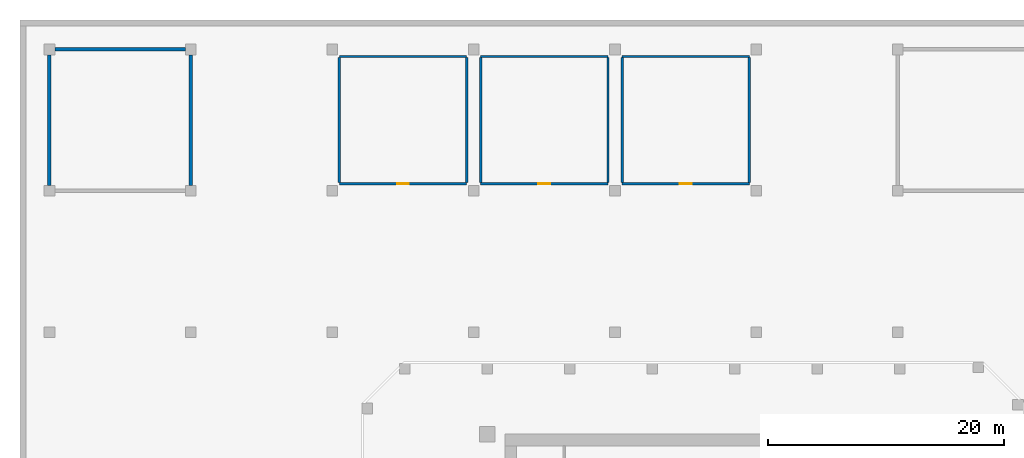
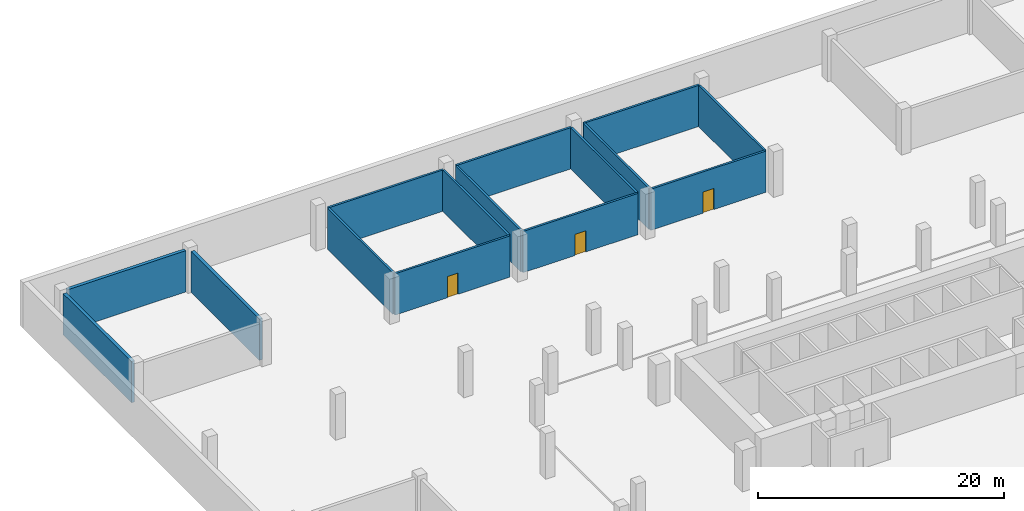
# One storey, part 8 of 11: 15 walls, 3 doors, 3 openings.
"""IFC4 building model written with IfcOpenShell, lengths in metres."""

from ifc_helpers import new_model, si_unit, direction, frame, frame_2d, origin, place, context, subcontext, project, spatial, rectangle, extrude, source, transform, mapped, material, layer, layer_set, type_object, element, fill, save


model = new_model("IFC4")

# Units and contexts
model_context = context("Model", 3, precision=1e-05, world=origin(), true_north=direction((0.0, 1.0)))
body_context = subcontext(model_context, "Body", "Model", "MODEL_VIEW")
ifc_project = project(units=[si_unit("LENGTHUNIT", "METRE"), si_unit("AREAUNIT", "SQUARE_METRE"), si_unit("VOLUMEUNIT", "CUBIC_METRE"), si_unit("PLANEANGLEUNIT", "RADIAN"), si_unit("MASSUNIT", "GRAM", prefix="KILO")], contexts=[model_context])

# Site, building, storey
site_placement = place(None, origin())
site = spatial("IfcSite", under=ifc_project, at=site_placement, CompositionType="ELEMENT")
building_placement = place(site_placement, origin())
building = spatial("IfcBuilding", under=site, at=building_placement, Name="Kilnfold Tower and Market Hall", CompositionType="ELEMENT")
storey_placement = place(building_placement, frame((0.0, 0.0, -4.5)))
storey = spatial("IfcBuildingStorey", under=building, at=storey_placement, Name="B1", CompositionType="ELEMENT", Elevation=-4.5)

# Walls
ifc_material_1 = material(Name="Concrete C50/60", Category="concrete")
ifc_layer_1 = layer(ifc_material_1, 0.300048828125)
ifc_layer_set_1 = layer_set([ifc_layer_1], Name="Concrete C50/60")
wall_type_1 = type_object("IfcWallType", Name="HALL CORE WALL 300", PredefinedType="SHEAR", material=ifc_layer_set_1)
shared_shape_1 = source(origin(), body_context, "Body", "SweptSolid", [
    extrude(rectangle(XDim=11.099853515625, YDim=0.300048828125, at=frame_2d((5.5498046875, 0.0))), origin(), (0.0, 0.0, 1.0), 4.090087890625),
])
for number, where, z_axis, x_axis, name in (
    (1, (-43.10009765625, 54.64990234375, 0.0), (0.0, 0.0, 1.0), (-1.0, 0.0, 0.0), "Core wall MH2"),
    (2, (-42.64990234375, 54.199951171875, 0.0), (0.0, 0.0, 1.0), (0.0, -1.0, 0.0), "Core wall MH2"),
    (3, (-54.64990234375, 54.199951171875, 0.0), (0.0, 0.0, 1.0), (0.0, -1.0, 0.0), "Core wall MH2"),
):
    element("IfcWall", number, at=place(storey_placement, frame(where, z_axis=z_axis, x_axis=x_axis)), inside=storey, type_object=wall_type_1, Name=name, PredefinedType="SHEAR", context=body_context, shape_type="MappedRepresentation", body=[
        mapped(shared_shape_1, transform((0.0, 0.0, 0.0))),
    ])

# Wall, opening, door
ifc_material_2 = material(Name="Concrete block C20", Category="concrete")
ifc_layer_2 = layer(ifc_material_2, 0.199951171875)
ifc_layer_set_2 = layer_set([ifc_layer_2], Name="Concrete block C20")
wall_type_2 = type_object("IfcWallType", Name="CAR PARK ROOM WALL 200", PredefinedType="PARTITIONING", material=ifc_layer_set_2)
shared_shape_2 = source(origin(), body_context, "Body", "SweptSolid", [
    extrude(rectangle(XDim=10.800048828125, YDim=0.199951171875, at=frame_2d((5.39990234375, 0.0))), origin(), (0.0, 0.0, 1.0), 4.090087890625),
])
wall_1_placement = place(storey_placement, frame((-30.050048828125, 43.25, 0.0), z_axis=(0.0, 0.0, 1.0), x_axis=(1.0, 0.0, 0.0)))
wall_1 = element("IfcWall", 4, at=wall_1_placement, inside=storey, type_object=wall_type_2, Name="Plant room wall south", PredefinedType="PARTITIONING", context=body_context, shape_type="MappedRepresentation", body=[
    mapped(shared_shape_2, transform((0.0, 0.0, 0.0))),
])
opening_1_placement = place(wall_1_placement, frame((4.89990234375, 0.0, 0.0)))
opening_1 = element("IfcOpeningElement", 5, at=opening_1_placement, cuts=wall_1, Name="Opening FD1", PredefinedType="OPENING", context=body_context, shape_type="SweptSolid", body=[
    extrude(rectangle(XDim=1.0, YDim=2.10009765625, at=frame_2d((0.5, 1.050048828125))), frame((0.0, 0.10986328125, 0.0), z_axis=(0.0, -1.0, 0.0), x_axis=(1.0, 0.0, 0.0)), (0.0, 0.0, 1.0), 0.219970703125),
])
ifc_material_3 = material(Name="Steel S355", Category="steel")
door_type = type_object("IfcDoorType", Name="CAR PARK FIRE DOOR 1000X2100", OperationType="NOTDEFINED", PredefinedType="DOOR", material=ifc_material_3)
door_1_placement = place(opening_1_placement, origin())
door_1 = element("IfcDoor", 6, at=door_1_placement, inside=storey, type_object=door_type, Name="Plant room door", OperationType="SINGLE_SWING_LEFT", OverallHeight=2.10009765625, OverallWidth=1.0, PredefinedType="DOOR", context=body_context, shape_type="SweptSolid", body=[
    extrude(rectangle(XDim=1.0, YDim=2.10009765625, at=frame_2d((0.5, 1.050048828125))), frame((0.0, 0.02490234375, 0.0), z_axis=(0.0, -1.0, 0.0), x_axis=(1.0, 0.0, 0.0)), (0.0, 0.0, 1.0), 0.050048828125),
])
fill(opening_1, door_1)

# Wall
wall_2_placement = place(storey_placement, frame((-30.050048828125, 54.050048828125, 0.0), z_axis=(0.0, 0.0, 1.0), x_axis=(1.0, 0.0, 0.0)))
element("IfcWall", 7, at=wall_2_placement, inside=storey, type_object=wall_type_2, Name="Plant room wall north", PredefinedType="PARTITIONING", context=body_context, shape_type="MappedRepresentation", body=[
    mapped(shared_shape_2, transform((0.0, 0.0, 0.0))),
])

# Wall, opening, door
wall_3_placement = place(storey_placement, frame((-18.050048828125, 43.25, 0.0), z_axis=(0.0, 0.0, 1.0), x_axis=(1.0, 0.0, 0.0)))
wall_3 = element("IfcWall", 8, at=wall_3_placement, inside=storey, type_object=wall_type_2, Name="Pump room wall south", PredefinedType="PARTITIONING", context=body_context, shape_type="MappedRepresentation", body=[
    mapped(shared_shape_2, transform((0.0, 0.0, 0.0))),
])
opening_2_placement = place(wall_3_placement, frame((4.89990234375, 0.0, 0.0)))
opening_2 = element("IfcOpeningElement", 9, at=opening_2_placement, cuts=wall_3, Name="Opening FD1", PredefinedType="OPENING", context=body_context, shape_type="SweptSolid", body=[
    extrude(rectangle(XDim=1.0, YDim=2.10009765625, at=frame_2d((0.5, 1.050048828125))), frame((0.0, 0.10986328125, 0.0), z_axis=(0.0, -1.0, 0.0), x_axis=(1.0, 0.0, 0.0)), (0.0, 0.0, 1.0), 0.219970703125),
])
door_2_placement = place(opening_2_placement, origin())
door_2 = element("IfcDoor", 10, at=door_2_placement, inside=storey, type_object=door_type, Name="Pump room door", OperationType="SINGLE_SWING_LEFT", OverallHeight=2.10009765625, OverallWidth=1.0, PredefinedType="DOOR", context=body_context, shape_type="SweptSolid", body=[
    extrude(rectangle(XDim=1.0, YDim=2.10009765625, at=frame_2d((0.5, 1.050048828125))), frame((0.0, 0.02490234375, 0.0), z_axis=(0.0, -1.0, 0.0), x_axis=(1.0, 0.0, 0.0)), (0.0, 0.0, 1.0), 0.050048828125),
])
fill(opening_2, door_2)

# Wall
wall_4_placement = place(storey_placement, frame((-18.050048828125, 54.050048828125, 0.0), z_axis=(0.0, 0.0, 1.0), x_axis=(1.0, 0.0, 0.0)))
element("IfcWall", 11, at=wall_4_placement, inside=storey, type_object=wall_type_2, Name="Pump room wall north", PredefinedType="PARTITIONING", context=body_context, shape_type="MappedRepresentation", body=[
    mapped(shared_shape_2, transform((0.0, 0.0, 0.0))),
])

# Wall, opening, door
wall_5_placement = place(storey_placement, frame((-6.050048828125, 43.25, 0.0), z_axis=(0.0, 0.0, 1.0), x_axis=(1.0, 0.0, 0.0)))
wall_5 = element("IfcWall", 12, at=wall_5_placement, inside=storey, type_object=wall_type_2, Name="Refuse room wall south", PredefinedType="PARTITIONING", context=body_context, shape_type="MappedRepresentation", body=[
    mapped(shared_shape_2, transform((0.0, 0.0, 0.0))),
])
opening_3_placement = place(wall_5_placement, frame((4.89990234375, 0.0, 0.0)))
opening_3 = element("IfcOpeningElement", 13, at=opening_3_placement, cuts=wall_5, Name="Opening FD1", PredefinedType="OPENING", context=body_context, shape_type="SweptSolid", body=[
    extrude(rectangle(XDim=1.0, YDim=2.10009765625, at=frame_2d((0.5, 1.050048828125))), frame((0.0, 0.10986328125, 0.0), z_axis=(0.0, -1.0, 0.0), x_axis=(1.0, 0.0, 0.0)), (0.0, 0.0, 1.0), 0.219970703125),
])
door_3_placement = place(opening_3_placement, origin())
door_3 = element("IfcDoor", 14, at=door_3_placement, inside=storey, type_object=door_type, Name="Refuse room door", OperationType="SINGLE_SWING_LEFT", OverallHeight=2.10009765625, OverallWidth=1.0, PredefinedType="DOOR", context=body_context, shape_type="SweptSolid", body=[
    extrude(rectangle(XDim=1.0, YDim=2.10009765625, at=frame_2d((0.5, 1.050048828125))), frame((0.0, 0.02490234375, 0.0), z_axis=(0.0, -1.0, 0.0), x_axis=(1.0, 0.0, 0.0)), (0.0, 0.0, 1.0), 0.050048828125),
])
fill(opening_3, door_3)

# Walls
wall_6_placement = place(storey_placement, frame((-6.050048828125, 54.050048828125, 0.0), z_axis=(0.0, 0.0, 1.0), x_axis=(1.0, 0.0, 0.0)))
element("IfcWall", 15, at=wall_6_placement, inside=storey, type_object=wall_type_2, Name="Refuse room wall north", PredefinedType="PARTITIONING", context=body_context, shape_type="MappedRepresentation", body=[
    mapped(shared_shape_2, transform((0.0, 0.0, 0.0))),
])
shared_shape_3 = source(origin(), body_context, "Body", "SweptSolid", [
    extrude(rectangle(XDim=10.599853515625, YDim=0.199951171875, at=frame_2d((5.2998046875, 0.0))), origin(), (0.0, 0.0, 1.0), 4.090087890625),
])
for number, where, z_axis, x_axis, name in (
    (16, (-30.050048828125, 43.35009765625, 0.0), (0.0, 0.0, 1.0), (0.0, 1.0, 0.0), "Plant room wall west"),
    (17, (-19.25, 43.35009765625, 0.0), (0.0, 0.0, 1.0), (0.0, 1.0, 0.0), "Plant room wall east"),
    (18, (-18.050048828125, 43.35009765625, 0.0), (0.0, 0.0, 1.0), (0.0, 1.0, 0.0), "Pump room wall west"),
    (19, (-7.25, 43.35009765625, 0.0), (0.0, 0.0, 1.0), (0.0, 1.0, 0.0), "Pump room wall east"),
    (20, (-6.050048828125, 43.35009765625, 0.0), (0.0, 0.0, 1.0), (0.0, 1.0, 0.0), "Refuse room wall west"),
    (21, (4.75, 43.35009765625, 0.0), (0.0, 0.0, 1.0), (0.0, 1.0, 0.0), "Refuse room wall east"),
):
    element("IfcWall", number, at=place(storey_placement, frame(where, z_axis=z_axis, x_axis=x_axis)), inside=storey, type_object=wall_type_2, Name=name, PredefinedType="PARTITIONING", context=body_context, shape_type="MappedRepresentation", body=[
        mapped(shared_shape_3, transform((0.0, 0.0, 0.0))),
    ])

save(model, "model.ifc")
